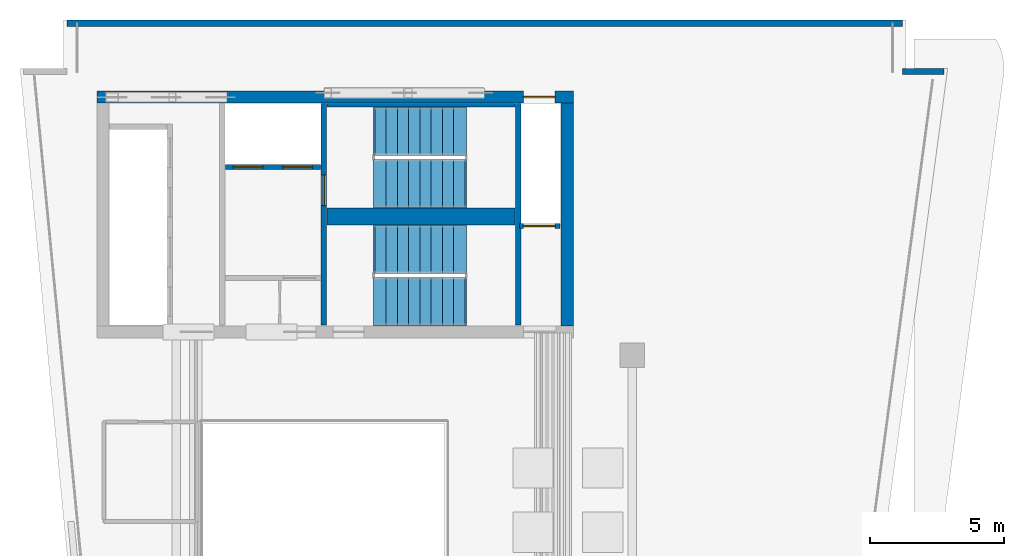
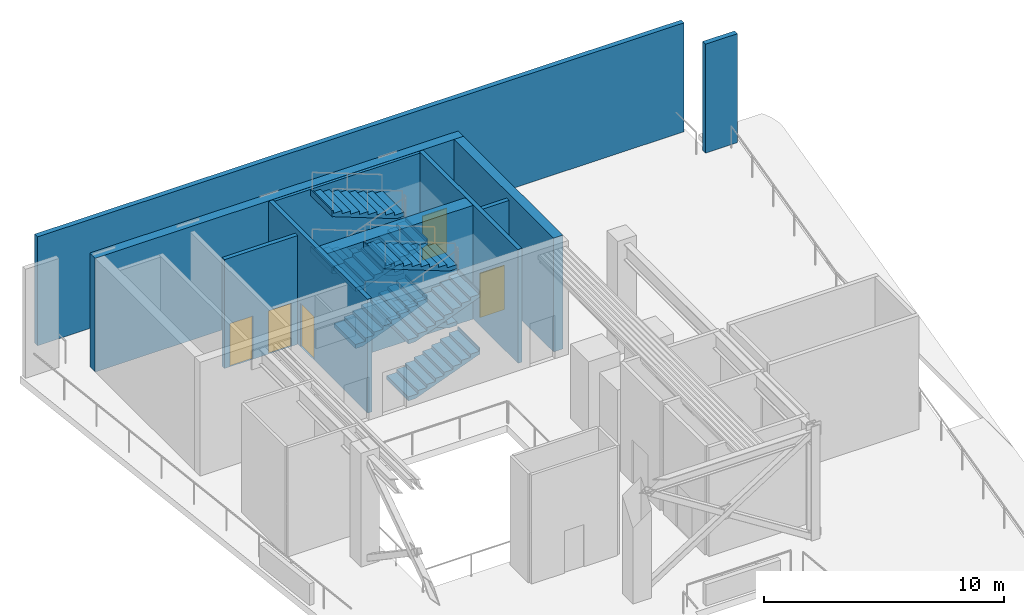
# One storey, part 3 of 8: 10 walls, 8 stair flights, 5 doors, 5 openings, 2 elements without a shape of their own.
"""IFC4 building model written with IfcOpenShell, lengths in metres."""

from ifc_helpers import new_model, si_unit, direction, frame, frame_2d, origin, place, context, subcontext, project, spatial, polyline, rectangle, outline, extrude, material, layer, layer_set, type_object, element, fill, aggregate, save


model = new_model("IFC4")

# Units and contexts
model_context = context("Model", 3, precision=1e-05, world=origin(), true_north=direction((0.0, 1.0)))
body_context = subcontext(model_context, "Body", "Model", "MODEL_VIEW")
ifc_project = project(units=[si_unit("LENGTHUNIT", "METRE"), si_unit("AREAUNIT", "SQUARE_METRE"), si_unit("VOLUMEUNIT", "CUBIC_METRE"), si_unit("PLANEANGLEUNIT", "RADIAN"), si_unit("MASSUNIT", "GRAM", prefix="KILO")], contexts=[model_context])

# Site, building, storey
site_placement = place(None, origin())
site = spatial("IfcSite", under=ifc_project, at=site_placement, CompositionType="ELEMENT")
building_placement = place(site_placement, origin())
building = spatial("IfcBuilding", under=site, at=building_placement, Name="Caeloran Harvest Quay", CompositionType="ELEMENT")
storey_placement = place(building_placement, frame((0.0, 0.0, 250.89990234375)))
storey = spatial("IfcBuildingStorey", under=building, at=storey_placement, Name="L60", CompositionType="ELEMENT", Elevation=250.89990234375)

# Walls
ifc_material_1 = material(Name="Precast concrete C50/60", Category="concrete")
ifc_layer_1 = layer(ifc_material_1, 0.239990234375, Name="Precast concrete C50/60")
ifc_layer_set_1 = layer_set([ifc_layer_1], Name="Precast concrete C50/60")
wall_type_1 = type_object("IfcWallType", Name="ENV-WALL-EW-240", PredefinedType="STANDARD", material=ifc_layer_set_1)
wall_1_placement = place(storey_placement, frame((4.419921875, 43.3798828125, 0.0), z_axis=(0.0, 0.0, 1.0), x_axis=(1.0, 0.0, 0.0)))
element("IfcWall", 1, at=wall_1_placement, inside=storey, type_object=wall_type_1, Name="L60 Exterior Precast Concrete Facade Wall 6", PredefinedType="STANDARD", context=body_context, shape_type="SweptSolid", body=[
    extrude(rectangle(XDim=31.16015625, YDim=0.239990234375, at=frame_2d((15.580078125, 0.0))), origin(), (0.0, 0.0, 1.0), 5.550048828125),
])
wall_2_placement = place(storey_placement, frame((35.580078125, 41.580078125, 0.0), z_axis=(0.0, 0.0, 1.0), x_axis=(1.0, 0.0, 0.0)))
element("IfcWall", 2, at=wall_2_placement, inside=storey, type_object=wall_type_1, Name="L60 Exterior Precast Concrete Facade Wall 8", PredefinedType="STANDARD", context=body_context, shape_type="SweptSolid", body=[
    extrude(rectangle(XDim=1.542236328125, YDim=0.239990234375, at=frame_2d((0.77099609375, 0.0))), origin(), (0.0, 0.0, 1.0), 5.550048828125),
])

# Wall, openings, doors
ifc_material_2 = material(Name="Concrete C50/60", Category="concrete")
ifc_layer_2 = layer(ifc_material_2, 0.199951171875, Name="Concrete C50/60")
ifc_layer_set_2 = layer_set([ifc_layer_2], Name="Concrete C50/60")
wall_type_2 = type_object("IfcWallType", Name="INT-WALL-SW-200", PredefinedType="PARTITIONING", material=ifc_layer_set_2)
wall_3_placement = place(storey_placement, frame((10.340087890625, 38.02001953125, 0.0), z_axis=(0.0, 0.0, 1.0), x_axis=(1.0, 0.0, 0.0)))
wall_3 = element("IfcWall", 3, at=wall_3_placement, inside=storey, type_object=wall_type_2, Name="L60 Firefighting Lift Shaft Wall", PredefinedType="PARTITIONING", context=body_context, shape_type="SweptSolid", body=[
    extrude(rectangle(XDim=3.539794921875, YDim=0.199951171875, at=frame_2d((1.77001953125, 0.0))), origin(), (0.0, 0.0, 1.0), 5.550048828125),
])
opening_1_placement = place(wall_3_placement, frame((0.284912109375, 0.0, 0.0)))
opening_1 = element("IfcOpeningElement", 4, at=opening_1_placement, cuts=wall_3, Name="Opening LD-01", PredefinedType="OPENING", context=body_context, shape_type="SweptSolid", body=[
    extrude(rectangle(XDim=1.10009765625, YDim=2.199951171875, at=frame_2d((0.550048828125, 1.10009765625))), frame((0.0, 0.10986328125, 0.0), z_axis=(0.0, -1.0, 0.0), x_axis=(1.0, 0.0, 0.0)), (0.0, 0.0, 1.0), 0.219970703125),
])
opening_2_placement = place(wall_3_placement, frame((2.135009765625, 0.0, 0.0)))
opening_2 = element("IfcOpeningElement", 5, at=opening_2_placement, cuts=wall_3, Name="Opening LD-01", PredefinedType="OPENING", context=body_context, shape_type="SweptSolid", body=[
    extrude(rectangle(XDim=1.10009765625, YDim=2.199951171875, at=frame_2d((0.550048828125, 1.10009765625))), frame((0.0, 0.10986328125, 0.0), z_axis=(0.0, -1.0, 0.0), x_axis=(1.0, 0.0, 0.0)), (0.0, 0.0, 1.0), 0.219970703125),
])
ifc_material_3 = material(Name="Stainless Steel Grade 316", Category="steel")
door_type_1 = type_object("IfcDoorType", Name="INTDOOR-LD-01", OperationType="NOTDEFINED", PredefinedType="DOOR", material=ifc_material_3)
door_1_placement = place(opening_1_placement, origin())
door_1 = element("IfcDoor", 6, at=door_1_placement, inside=storey, type_object=door_type_1, Name="Lift FF-1 Sliding Landing Door (L60)", OperationType="DOUBLE_DOOR_SLIDING", OverallHeight=2.199951171875, OverallWidth=1.10009765625, PredefinedType="DOOR", context=body_context, shape_type="SweptSolid", body=[
    extrude(rectangle(XDim=1.10009765625, YDim=2.199951171875, at=frame_2d((0.550048828125, 1.10009765625))), frame((0.0, 0.02490234375, 0.0), z_axis=(0.0, -1.0, 0.0), x_axis=(1.0, 0.0, 0.0)), (0.0, 0.0, 1.0), 0.050048828125),
])
fill(opening_1, door_1)
door_2_placement = place(opening_2_placement, origin())
door_2 = element("IfcDoor", 7, at=door_2_placement, inside=storey, type_object=door_type_1, Name="Lift FF-2 Sliding Landing Door (L60)", OperationType="DOUBLE_DOOR_SLIDING", OverallHeight=2.199951171875, OverallWidth=1.10009765625, PredefinedType="DOOR", context=body_context, shape_type="SweptSolid", body=[
    extrude(rectangle(XDim=1.10009765625, YDim=2.199951171875, at=frame_2d((0.550048828125, 1.10009765625))), frame((0.0, 0.02490234375, 0.0), z_axis=(0.0, -1.0, 0.0), x_axis=(1.0, 0.0, 0.0)), (0.0, 0.0, 1.0), 0.050048828125),
])
fill(opening_2, door_2)

# Wall, opening, door
wall_4_placement = place(storey_placement, frame((21.300048828125, 35.820068359375, 0.0), z_axis=(0.0, 0.0, 1.0), x_axis=(1.0, 0.0, 0.0)))
wall_4 = element("IfcWall", 8, at=wall_4_placement, inside=storey, type_object=wall_type_2, Name="L60 Service Lift SV-2 Shaft Wall", PredefinedType="PARTITIONING", context=body_context, shape_type="SweptSolid", body=[
    extrude(rectangle(XDim=1.5, YDim=0.199951171875, at=frame_2d((0.75, 0.0))), origin(), (0.0, 0.0, 1.0), 5.550048828125),
])
opening_3_placement = place(wall_4_placement, frame((0.14501953125, 0.0, 0.0)))
opening_3 = element("IfcOpeningElement", 9, at=opening_3_placement, cuts=wall_4, Name="Opening LD-02", PredefinedType="OPENING", context=body_context, shape_type="SweptSolid", body=[
    extrude(rectangle(XDim=1.179931640625, YDim=2.25, at=frame_2d((0.58984375, 1.125))), frame((0.0, 0.10986328125, 0.0), z_axis=(0.0, -1.0, 0.0), x_axis=(1.0, 0.0, 0.0)), (0.0, 0.0, 1.0), 0.219970703125),
])
door_type_2 = type_object("IfcDoorType", Name="INTDOOR-LD-02", OperationType="NOTDEFINED", PredefinedType="DOOR", material=ifc_material_3)
door_3_placement = place(opening_3_placement, origin())
door_3 = element("IfcDoor", 10, at=door_3_placement, inside=storey, type_object=door_type_2, Name="Lift SV-2 Sliding Landing Door (L60)", OperationType="DOUBLE_DOOR_SLIDING", OverallHeight=2.25, OverallWidth=1.179931640625, PredefinedType="DOOR", context=body_context, shape_type="SweptSolid", body=[
    extrude(rectangle(XDim=1.179931640625, YDim=2.25, at=frame_2d((0.58984375, 1.125))), frame((0.0, 0.02490234375, 0.0), z_axis=(0.0, -1.0, 0.0), x_axis=(1.0, 0.0, 0.0)), (0.0, 0.0, 1.0), 0.050048828125),
])
fill(opening_3, door_3)

ifc_material_4 = material(Name="Concrete C60/75", Category="concrete")
ifc_layer_3 = layer(ifc_material_4, 0.449951171875, Name="Concrete C60/75")
ifc_layer_set_3 = layer_set([ifc_layer_3], Name="Concrete C60/75")
wall_type_3 = type_object("IfcWallType", Name="STR-WALL-CW-450", PredefinedType="SHEAR", material=ifc_layer_set_3)
wall_5_placement = place(storey_placement, frame((5.550048828125, 40.625, 0.0), z_axis=(0.0, 0.0, 1.0), x_axis=(1.0, 0.0, 0.0)))
wall_5 = element("IfcWall", 11, at=wall_5_placement, inside=storey, type_object=wall_type_3, Name="L60 Rear Core Shear Wall N", PredefinedType="SHEAR", context=body_context, shape_type="SweptSolid", body=[
    extrude(rectangle(XDim=17.75, YDim=0.449951171875, at=frame_2d((8.875, 0.0))), origin(), (0.0, 0.0, 1.0), 5.800048828125),
])
opening_4_placement = place(wall_5_placement, frame((15.89501953125, 0.0, 0.0)))
opening_4 = element("IfcOpeningElement", 12, at=opening_4_placement, cuts=wall_5, Name="Opening LD-02", PredefinedType="OPENING", context=body_context, shape_type="SweptSolid", body=[
    extrude(rectangle(XDim=1.179931640625, YDim=2.25, at=frame_2d((0.58984375, 1.125))), frame((0.0, 0.23486328125, 0.0), z_axis=(0.0, -1.0, 0.0), x_axis=(1.0, 0.0, 0.0)), (0.0, 0.0, 1.0), 0.469970703125),
])
door_4_placement = place(opening_4_placement, origin())
door_4 = element("IfcDoor", 13, at=door_4_placement, inside=storey, type_object=door_type_2, Name="Lift SV-1 Sliding Landing Door (L60)", OperationType="DOUBLE_DOOR_SLIDING", OverallHeight=2.25, OverallWidth=1.179931640625, PredefinedType="DOOR", context=body_context, shape_type="SweptSolid", body=[
    extrude(rectangle(XDim=1.179931640625, YDim=2.25, at=frame_2d((0.58984375, 1.125))), frame((0.0, 0.02490234375, 0.0), z_axis=(0.0, -1.0, 0.0), x_axis=(1.0, 0.0, 0.0)), (0.0, 0.0, 1.0), 0.050048828125),
])
fill(opening_4, door_4)

# Walls
wall_6_placement = place(storey_placement, frame((23.074951171875, 32.10009765625, 0.0), z_axis=(0.0, 0.0, 1.0), x_axis=(0.0, 1.0, 0.0)))
element("IfcWall", 14, at=wall_6_placement, inside=storey, type_object=wall_type_3, Name="L60 Rear Core Shear Wall E", PredefinedType="SHEAR", context=body_context, shape_type="SweptSolid", body=[
    extrude(rectangle(XDim=8.2998046875, YDim=0.449951171875, at=frame_2d((4.14990234375, 0.0))), origin(), (0.0, 0.0, 1.0), 5.800048828125),
])
ifc_layer_4 = layer(ifc_material_4, 0.64990234375, Name="Concrete C60/75")
ifc_layer_set_4 = layer_set([ifc_layer_4], Name="Concrete C60/75")
wall_type_4 = type_object("IfcWallType", Name="STR-WALL-CW-650", PredefinedType="SHEAR", material=ifc_layer_set_4)
wall_7_placement = place(storey_placement, frame((14.1201171875, 36.175048828125, 0.0), z_axis=(0.0, 0.0, 1.0), x_axis=(1.0, 0.0, 0.0)))
element("IfcWall", 15, at=wall_7_placement, inside=storey, type_object=wall_type_4, Name="L60 Core Stairs Dividing Shear Wall", PredefinedType="SHEAR", context=body_context, shape_type="SweptSolid", body=[
    extrude(rectangle(XDim=7.009765625, YDim=0.64990234375, at=frame_2d((3.5048828125, 0.0))), origin(), (0.0, 0.0, 1.0), 5.800048828125),
])
ifc_layer_5 = layer(ifc_material_4, 0.139892578125, Name="Concrete C60/75")
ifc_layer_set_5 = layer_set([ifc_layer_5], Name="Concrete C60/75")
wall_type_5 = type_object("IfcWallType", Name="STR-WALL-SW-140", PredefinedType="SHEAR", material=ifc_layer_set_5)
wall_8_placement = place(storey_placement, frame((14.1201171875, 40.320068359375, 0.0), z_axis=(0.0, 0.0, 1.0), x_axis=(1.0, 0.0, 0.0)))
element("IfcWall", 16, at=wall_8_placement, inside=storey, type_object=wall_type_5, Name="L60 Core Stair ST-C1 North Bearing Shear Wall", PredefinedType="SHEAR", context=body_context, shape_type="SweptSolid", body=[
    extrude(rectangle(XDim=7.009765625, YDim=0.139892578125, at=frame_2d((3.5048828125, 0.0))), origin(), (0.0, 0.0, 1.0), 5.800048828125),
])

# Wall, opening, door
ifc_layer_6 = layer(ifc_material_4, 0.199951171875, Name="Concrete C60/75")
ifc_layer_set_6 = layer_set([ifc_layer_6], Name="Concrete C60/75")
wall_type_6 = type_object("IfcWallType", Name="STR-WALL-SW-200", PredefinedType="SHEAR", material=ifc_layer_set_6)
wall_9_placement = place(storey_placement, frame((14.0, 32.1201171875, 0.0), z_axis=(0.0, 0.0, 1.0), x_axis=(0.0, 1.0, 0.0)))
wall_9 = element("IfcWall", 17, at=wall_9_placement, inside=storey, type_object=wall_type_6, Name="L60 Core Stair Shaft West Shear Wall", PredefinedType="SHEAR", context=body_context, shape_type="SweptSolid", body=[
    extrude(rectangle(XDim=8.259765625, YDim=0.199951171875, at=frame_2d((4.1298828125, 0.0))), origin(), (0.0, 0.0, 1.0), 5.800048828125),
])
opening_5_placement = place(wall_9_placement, frame((4.4599609375, 0.0, 0.0)))
opening_5 = element("IfcOpeningElement", 18, at=opening_5_placement, cuts=wall_9, Name="Opening SD-01", PredefinedType="OPENING", context=body_context, shape_type="SweptSolid", body=[
    extrude(rectangle(XDim=1.14990234375, YDim=2.199951171875, at=frame_2d((0.574951171875, 1.10009765625))), frame((0.0, 0.10986328125, 0.0), z_axis=(0.0, -1.0, 0.0), x_axis=(1.0, 0.0, 0.0)), (0.0, 0.0, 1.0), 0.219970703125),
])
ifc_material_5 = material(Name="Steel", Category="steel")
door_type_3 = type_object("IfcDoorType", Name="INTDOOR-SD-01", OperationType="NOTDEFINED", PredefinedType="DOOR", material=ifc_material_5)
door_5_placement = place(opening_5_placement, origin())
door_5 = element("IfcDoor", 19, at=door_5_placement, inside=storey, type_object=door_type_3, Name="L60 Protected Stair ST-C1 Exit Door", OperationType="SINGLE_SWING_LEFT", OverallHeight=2.199951171875, OverallWidth=1.14990234375, PredefinedType="DOOR", context=body_context, shape_type="SweptSolid", body=[
    extrude(rectangle(XDim=1.14990234375, YDim=2.199951171875, at=frame_2d((0.574951171875, 1.10009765625))), frame((0.0, 0.02490234375, 0.0), z_axis=(0.0, -1.0, 0.0), x_axis=(1.0, 0.0, 0.0)), (0.0, 0.0, 1.0), 0.050048828125),
])
fill(opening_5, door_5)

# Wall
wall_10_placement = place(storey_placement, frame((21.25, 32.1201171875, 0.0), z_axis=(0.0, 0.0, 1.0), x_axis=(0.0, 1.0, 0.0)))
element("IfcWall", 20, at=wall_10_placement, inside=storey, type_object=wall_type_6, Name="L60 Core Stair Shaft East Shear Wall", PredefinedType="SHEAR", context=body_context, shape_type="SweptSolid", body=[
    extrude(rectangle(XDim=8.259765625, YDim=0.199951171875, at=frame_2d((4.1298828125, 0.0))), origin(), (0.0, 0.0, 1.0), 5.800048828125),
])

# Stair, stair flights
stair_type = type_object("IfcStairType", Name="STAIR-STC-180", PredefinedType="HALF_TURN_STAIR", material=ifc_material_2)
stair_1_placement = place(storey_placement, origin())
stair_1 = element("IfcStair", 21, at=stair_1_placement, inside=storey, type_object=stair_type, Name="L60 Core Pressurized Exit Stair ST-C1", PredefinedType="HALF_TURN_STAIR")
stair_flight_type = type_object("IfcStairFlightType", Name="FLIGHT-STC-180", PredefinedType="STRAIGHT", material=ifc_material_2)
stair_flight_1_placement = place(storey_placement, frame((15.89990234375, 37.39990234375, 0.0), z_axis=(0.0, 0.0, 1.0), x_axis=(1.0, 0.0, 0.0)))
stair_flight_1 = element("IfcStairFlight", 22, at=stair_flight_1_placement, type_object=stair_flight_type, Name="ST-C1 flight 1", NumberOfRisers=9, NumberOfTreads=8, PredefinedType="STRAIGHT", RiserHeight=0.161111111, TreadLength=0.42, context=body_context, shape_type="SweptSolid", body=[
    extrude(outline(polyline([(-0.054931640625, -0.044921875), (-0.054931640625, -0.0322265625), (-0.054931640625, -0.019287109375), (-0.054931640625, -0.00634765625), (-0.054931640625, 0.006591796875), (-0.054931640625, 0.01953125), (-0.054931640625, 0.0322265625), (-0.054931640625, 0.045166015625), (-0.054931640625, 0.05810546875), (-0.054931640625, 0.071044921875), (-0.054931640625, 0.083740234375), (-0.054931640625, 0.0966796875), (-0.054931640625, 0.109619140625), (-0.054931640625, 0.12255859375), (-0.054931640625, 0.13525390625), (-0.054931640625, 0.148193359375), (-0.054931640625, 0.1611328125), (0.419921875, 0.1611328125), (0.419921875, 0.322265625), (0.840087890625, 0.322265625), (0.840087890625, 0.4833984375), (1.260009765625, 0.4833984375), (1.260009765625, 0.64453125), (1.679931640625, 0.64453125), (1.679931640625, 0.8056640625), (2.10009765625, 0.8056640625), (2.10009765625, 0.966552734375), (2.52001953125, 0.966552734375), (2.52001953125, 1.127685546875), (2.93994140625, 1.127685546875), (2.93994140625, 1.288818359375), (3.360107421875, 1.288818359375), (3.360107421875, 1.449951171875), (3.4150390625, 1.449951171875), (3.4150390625, 1.429931640625), (3.4150390625, 1.409912109375), (3.4150390625, 1.3896484375), (3.4150390625, 1.36962890625), (3.4150390625, 1.349365234375), (3.4150390625, 1.329345703125), (3.4150390625, 1.309326171875), (3.4150390625, 1.2890625), (3.4150390625, 1.26904296875), (3.4150390625, 1.2490234375), (3.4150390625, 1.228759765625), (3.4150390625, 1.208740234375), (3.4150390625, 1.188720703125), (3.4150390625, 1.16845703125), (3.4150390625, 1.1484375), (3.4150390625, 1.12841796875), (3.360107421875, 1.12841796875), (0.30126953125, -0.044921875), (-0.054931640625, -0.044921875)])), frame((0.0, 0.89990234375, 0.0), z_axis=(0.0, -1.0, 0.0), x_axis=(1.0, 0.0, 0.0)), (0.0, 0.0, 1.0), 1.800048828125),
])
stair_flight_2_placement = place(storey_placement, frame((19.260009765625, 39.35009765625, 1.4501953125), z_axis=(0.0, 0.0, 1.0), x_axis=(-1.0, 0.0, 0.0)))
stair_flight_2 = element("IfcStairFlight", 23, at=stair_flight_2_placement, type_object=stair_flight_type, Name="ST-C1 flight 2", NumberOfRisers=9, NumberOfTreads=8, PredefinedType="STRAIGHT", RiserHeight=0.161111111, TreadLength=0.42, context=body_context, shape_type="SweptSolid", body=[
    extrude(outline(polyline([(-0.054931640625, -0.044921875), (-0.054931640625, -0.0322265625), (-0.054931640625, -0.019287109375), (-0.054931640625, -0.00634765625), (-0.054931640625, 0.006591796875), (-0.054931640625, 0.01953125), (-0.054931640625, 0.0322265625), (-0.054931640625, 0.045166015625), (-0.054931640625, 0.05810546875), (-0.054931640625, 0.071044921875), (-0.054931640625, 0.083740234375), (-0.054931640625, 0.0966796875), (-0.054931640625, 0.109619140625), (-0.054931640625, 0.12255859375), (-0.054931640625, 0.13525390625), (-0.054931640625, 0.148193359375), (-0.054931640625, 0.1611328125), (0.419921875, 0.1611328125), (0.419921875, 0.322265625), (0.840087890625, 0.322265625), (0.840087890625, 0.4833984375), (1.260009765625, 0.4833984375), (1.260009765625, 0.64453125), (1.679931640625, 0.64453125), (1.679931640625, 0.8056640625), (2.10009765625, 0.8056640625), (2.10009765625, 0.966552734375), (2.52001953125, 0.966552734375), (2.52001953125, 1.127685546875), (2.93994140625, 1.127685546875), (2.93994140625, 1.288818359375), (3.360107421875, 1.288818359375), (3.360107421875, 1.449951171875), (3.4150390625, 1.449951171875), (3.4150390625, 1.429931640625), (3.4150390625, 1.409912109375), (3.4150390625, 1.3896484375), (3.4150390625, 1.36962890625), (3.4150390625, 1.349365234375), (3.4150390625, 1.329345703125), (3.4150390625, 1.309326171875), (3.4150390625, 1.2890625), (3.4150390625, 1.26904296875), (3.4150390625, 1.2490234375), (3.4150390625, 1.228759765625), (3.4150390625, 1.208740234375), (3.4150390625, 1.188720703125), (3.4150390625, 1.16845703125), (3.4150390625, 1.1484375), (3.4150390625, 1.12841796875), (3.360107421875, 1.12841796875), (0.30126953125, -0.044921875), (-0.054931640625, -0.044921875)])), frame((0.0, 0.89990234375, 0.0), z_axis=(0.0, -1.0, 0.0), x_axis=(1.0, 0.0, 0.0)), (0.0, 0.0, 1.0), 1.800048828125),
])
stair_flight_3_placement = place(storey_placement, frame((15.89990234375, 37.39990234375, 2.900146484375), z_axis=(0.0, 0.0, 1.0), x_axis=(1.0, 0.0, 0.0)))
stair_flight_3 = element("IfcStairFlight", 24, at=stair_flight_3_placement, type_object=stair_flight_type, Name="ST-C1 flight 3", NumberOfRisers=9, NumberOfTreads=8, PredefinedType="STRAIGHT", RiserHeight=0.161111111, TreadLength=0.42, context=body_context, shape_type="SweptSolid", body=[
    extrude(outline(polyline([(-0.054931640625, -0.044921875), (-0.054931640625, -0.0322265625), (-0.054931640625, -0.019287109375), (-0.054931640625, -0.00634765625), (-0.054931640625, 0.006591796875), (-0.054931640625, 0.01953125), (-0.054931640625, 0.0322265625), (-0.054931640625, 0.045166015625), (-0.054931640625, 0.05810546875), (-0.054931640625, 0.071044921875), (-0.054931640625, 0.083740234375), (-0.054931640625, 0.0966796875), (-0.054931640625, 0.109619140625), (-0.054931640625, 0.12255859375), (-0.054931640625, 0.13525390625), (-0.054931640625, 0.148193359375), (-0.054931640625, 0.1611328125), (0.419921875, 0.1611328125), (0.419921875, 0.322265625), (0.840087890625, 0.322265625), (0.840087890625, 0.4833984375), (1.260009765625, 0.4833984375), (1.260009765625, 0.64453125), (1.679931640625, 0.64453125), (1.679931640625, 0.8056640625), (2.10009765625, 0.8056640625), (2.10009765625, 0.966552734375), (2.52001953125, 0.966552734375), (2.52001953125, 1.127685546875), (2.93994140625, 1.127685546875), (2.93994140625, 1.288818359375), (3.360107421875, 1.288818359375), (3.360107421875, 1.449951171875), (3.4150390625, 1.449951171875), (3.4150390625, 1.429931640625), (3.4150390625, 1.409912109375), (3.4150390625, 1.3896484375), (3.4150390625, 1.36962890625), (3.4150390625, 1.349365234375), (3.4150390625, 1.329345703125), (3.4150390625, 1.309326171875), (3.4150390625, 1.2890625), (3.4150390625, 1.26904296875), (3.4150390625, 1.2490234375), (3.4150390625, 1.228759765625), (3.4150390625, 1.208740234375), (3.4150390625, 1.188720703125), (3.4150390625, 1.16845703125), (3.4150390625, 1.1484375), (3.4150390625, 1.12841796875), (3.360107421875, 1.12841796875), (0.30126953125, -0.044921875), (-0.054931640625, -0.044921875)])), frame((0.0, 0.89990234375, 0.0), z_axis=(0.0, -1.0, 0.0), x_axis=(1.0, 0.0, 0.0)), (0.0, 0.0, 1.0), 1.800048828125),
])
stair_flight_4_placement = place(storey_placement, frame((19.260009765625, 39.35009765625, 4.35009765625), z_axis=(0.0, 0.0, 1.0), x_axis=(-1.0, 0.0, 0.0)))
stair_flight_4 = element("IfcStairFlight", 25, at=stair_flight_4_placement, type_object=stair_flight_type, Name="ST-C1 flight 4", NumberOfRisers=9, NumberOfTreads=8, PredefinedType="STRAIGHT", RiserHeight=0.161111111, TreadLength=0.42, context=body_context, shape_type="SweptSolid", body=[
    extrude(outline(polyline([(-0.054931640625, -0.044921875), (-0.054931640625, -0.0322265625), (-0.054931640625, -0.019287109375), (-0.054931640625, -0.00634765625), (-0.054931640625, 0.006591796875), (-0.054931640625, 0.01953125), (-0.054931640625, 0.0322265625), (-0.054931640625, 0.045166015625), (-0.054931640625, 0.05810546875), (-0.054931640625, 0.071044921875), (-0.054931640625, 0.083740234375), (-0.054931640625, 0.0966796875), (-0.054931640625, 0.109619140625), (-0.054931640625, 0.12255859375), (-0.054931640625, 0.13525390625), (-0.054931640625, 0.148193359375), (-0.054931640625, 0.1611328125), (0.419921875, 0.1611328125), (0.419921875, 0.322265625), (0.840087890625, 0.322265625), (0.840087890625, 0.4833984375), (1.260009765625, 0.4833984375), (1.260009765625, 0.64453125), (1.679931640625, 0.64453125), (1.679931640625, 0.8056640625), (2.10009765625, 0.8056640625), (2.10009765625, 0.966552734375), (2.52001953125, 0.966552734375), (2.52001953125, 1.127685546875), (2.93994140625, 1.127685546875), (2.93994140625, 1.288818359375), (3.360107421875, 1.288818359375), (3.360107421875, 1.449951171875), (3.4150390625, 1.449951171875), (3.4150390625, 1.429931640625), (3.4150390625, 1.409912109375), (3.4150390625, 1.3896484375), (3.4150390625, 1.36962890625), (3.4150390625, 1.349365234375), (3.4150390625, 1.329345703125), (3.4150390625, 1.309326171875), (3.4150390625, 1.2890625), (3.4150390625, 1.26904296875), (3.4150390625, 1.2490234375), (3.4150390625, 1.228759765625), (3.4150390625, 1.208740234375), (3.4150390625, 1.188720703125), (3.4150390625, 1.16845703125), (3.4150390625, 1.1484375), (3.4150390625, 1.12841796875), (3.360107421875, 1.12841796875), (0.30126953125, -0.044921875), (-0.054931640625, -0.044921875)])), frame((0.0, 0.89990234375, 0.0), z_axis=(0.0, -1.0, 0.0), x_axis=(1.0, 0.0, 0.0)), (0.0, 0.0, 1.0), 1.800048828125),
])
aggregate(stair_1, [stair_flight_1, stair_flight_2, stair_flight_3, stair_flight_4])

stair_2_placement = place(storey_placement, origin())
stair_2 = element("IfcStair", 26, at=stair_2_placement, inside=storey, type_object=stair_type, Name="L60 Core Pressurized Exit Stair ST-C2", PredefinedType="HALF_TURN_STAIR")
stair_flight_5_placement = place(storey_placement, frame((15.89990234375, 33.0, 0.0), z_axis=(0.0, 0.0, 1.0), x_axis=(1.0, 0.0, 0.0)))
stair_flight_5 = element("IfcStairFlight", 27, at=stair_flight_5_placement, type_object=stair_flight_type, Name="ST-C2 flight 1", NumberOfRisers=9, NumberOfTreads=8, PredefinedType="STRAIGHT", RiserHeight=0.161111111, TreadLength=0.42, context=body_context, shape_type="SweptSolid", body=[
    extrude(outline(polyline([(-0.054931640625, -0.044921875), (-0.054931640625, -0.0322265625), (-0.054931640625, -0.019287109375), (-0.054931640625, -0.00634765625), (-0.054931640625, 0.006591796875), (-0.054931640625, 0.01953125), (-0.054931640625, 0.0322265625), (-0.054931640625, 0.045166015625), (-0.054931640625, 0.05810546875), (-0.054931640625, 0.071044921875), (-0.054931640625, 0.083740234375), (-0.054931640625, 0.0966796875), (-0.054931640625, 0.109619140625), (-0.054931640625, 0.12255859375), (-0.054931640625, 0.13525390625), (-0.054931640625, 0.148193359375), (-0.054931640625, 0.1611328125), (0.419921875, 0.1611328125), (0.419921875, 0.322265625), (0.840087890625, 0.322265625), (0.840087890625, 0.4833984375), (1.260009765625, 0.4833984375), (1.260009765625, 0.64453125), (1.679931640625, 0.64453125), (1.679931640625, 0.8056640625), (2.10009765625, 0.8056640625), (2.10009765625, 0.966552734375), (2.52001953125, 0.966552734375), (2.52001953125, 1.127685546875), (2.93994140625, 1.127685546875), (2.93994140625, 1.288818359375), (3.360107421875, 1.288818359375), (3.360107421875, 1.449951171875), (3.4150390625, 1.449951171875), (3.4150390625, 1.429931640625), (3.4150390625, 1.409912109375), (3.4150390625, 1.3896484375), (3.4150390625, 1.36962890625), (3.4150390625, 1.349365234375), (3.4150390625, 1.329345703125), (3.4150390625, 1.309326171875), (3.4150390625, 1.2890625), (3.4150390625, 1.26904296875), (3.4150390625, 1.2490234375), (3.4150390625, 1.228759765625), (3.4150390625, 1.208740234375), (3.4150390625, 1.188720703125), (3.4150390625, 1.16845703125), (3.4150390625, 1.1484375), (3.4150390625, 1.12841796875), (3.360107421875, 1.12841796875), (0.30126953125, -0.044921875), (-0.054931640625, -0.044921875)])), frame((0.0, 0.89990234375, 0.0), z_axis=(0.0, -1.0, 0.0), x_axis=(1.0, 0.0, 0.0)), (0.0, 0.0, 1.0), 1.800048828125),
])
stair_flight_6_placement = place(storey_placement, frame((19.260009765625, 34.949951171875, 1.4501953125), z_axis=(0.0, 0.0, 1.0), x_axis=(-1.0, 0.0, 0.0)))
stair_flight_6 = element("IfcStairFlight", 28, at=stair_flight_6_placement, type_object=stair_flight_type, Name="ST-C2 flight 2", NumberOfRisers=9, NumberOfTreads=8, PredefinedType="STRAIGHT", RiserHeight=0.161111111, TreadLength=0.42, context=body_context, shape_type="SweptSolid", body=[
    extrude(outline(polyline([(-0.054931640625, -0.044921875), (-0.054931640625, -0.0322265625), (-0.054931640625, -0.019287109375), (-0.054931640625, -0.00634765625), (-0.054931640625, 0.006591796875), (-0.054931640625, 0.01953125), (-0.054931640625, 0.0322265625), (-0.054931640625, 0.045166015625), (-0.054931640625, 0.05810546875), (-0.054931640625, 0.071044921875), (-0.054931640625, 0.083740234375), (-0.054931640625, 0.0966796875), (-0.054931640625, 0.109619140625), (-0.054931640625, 0.12255859375), (-0.054931640625, 0.13525390625), (-0.054931640625, 0.148193359375), (-0.054931640625, 0.1611328125), (0.419921875, 0.1611328125), (0.419921875, 0.322265625), (0.840087890625, 0.322265625), (0.840087890625, 0.4833984375), (1.260009765625, 0.4833984375), (1.260009765625, 0.64453125), (1.679931640625, 0.64453125), (1.679931640625, 0.8056640625), (2.10009765625, 0.8056640625), (2.10009765625, 0.966552734375), (2.52001953125, 0.966552734375), (2.52001953125, 1.127685546875), (2.93994140625, 1.127685546875), (2.93994140625, 1.288818359375), (3.360107421875, 1.288818359375), (3.360107421875, 1.449951171875), (3.4150390625, 1.449951171875), (3.4150390625, 1.429931640625), (3.4150390625, 1.409912109375), (3.4150390625, 1.3896484375), (3.4150390625, 1.36962890625), (3.4150390625, 1.349365234375), (3.4150390625, 1.329345703125), (3.4150390625, 1.309326171875), (3.4150390625, 1.2890625), (3.4150390625, 1.26904296875), (3.4150390625, 1.2490234375), (3.4150390625, 1.228759765625), (3.4150390625, 1.208740234375), (3.4150390625, 1.188720703125), (3.4150390625, 1.16845703125), (3.4150390625, 1.1484375), (3.4150390625, 1.12841796875), (3.360107421875, 1.12841796875), (0.30126953125, -0.044921875), (-0.054931640625, -0.044921875)])), frame((0.0, 0.89990234375, 0.0), z_axis=(0.0, -1.0, 0.0), x_axis=(1.0, 0.0, 0.0)), (0.0, 0.0, 1.0), 1.800048828125),
])
stair_flight_7_placement = place(storey_placement, frame((15.89990234375, 33.0, 2.900146484375), z_axis=(0.0, 0.0, 1.0), x_axis=(1.0, 0.0, 0.0)))
stair_flight_7 = element("IfcStairFlight", 29, at=stair_flight_7_placement, type_object=stair_flight_type, Name="ST-C2 flight 3", NumberOfRisers=9, NumberOfTreads=8, PredefinedType="STRAIGHT", RiserHeight=0.161111111, TreadLength=0.42, context=body_context, shape_type="SweptSolid", body=[
    extrude(outline(polyline([(-0.054931640625, -0.044921875), (-0.054931640625, -0.0322265625), (-0.054931640625, -0.019287109375), (-0.054931640625, -0.00634765625), (-0.054931640625, 0.006591796875), (-0.054931640625, 0.01953125), (-0.054931640625, 0.0322265625), (-0.054931640625, 0.045166015625), (-0.054931640625, 0.05810546875), (-0.054931640625, 0.071044921875), (-0.054931640625, 0.083740234375), (-0.054931640625, 0.0966796875), (-0.054931640625, 0.109619140625), (-0.054931640625, 0.12255859375), (-0.054931640625, 0.13525390625), (-0.054931640625, 0.148193359375), (-0.054931640625, 0.1611328125), (0.419921875, 0.1611328125), (0.419921875, 0.322265625), (0.840087890625, 0.322265625), (0.840087890625, 0.4833984375), (1.260009765625, 0.4833984375), (1.260009765625, 0.64453125), (1.679931640625, 0.64453125), (1.679931640625, 0.8056640625), (2.10009765625, 0.8056640625), (2.10009765625, 0.966552734375), (2.52001953125, 0.966552734375), (2.52001953125, 1.127685546875), (2.93994140625, 1.127685546875), (2.93994140625, 1.288818359375), (3.360107421875, 1.288818359375), (3.360107421875, 1.449951171875), (3.4150390625, 1.449951171875), (3.4150390625, 1.429931640625), (3.4150390625, 1.409912109375), (3.4150390625, 1.3896484375), (3.4150390625, 1.36962890625), (3.4150390625, 1.349365234375), (3.4150390625, 1.329345703125), (3.4150390625, 1.309326171875), (3.4150390625, 1.2890625), (3.4150390625, 1.26904296875), (3.4150390625, 1.2490234375), (3.4150390625, 1.228759765625), (3.4150390625, 1.208740234375), (3.4150390625, 1.188720703125), (3.4150390625, 1.16845703125), (3.4150390625, 1.1484375), (3.4150390625, 1.12841796875), (3.360107421875, 1.12841796875), (0.30126953125, -0.044921875), (-0.054931640625, -0.044921875)])), frame((0.0, 0.89990234375, 0.0), z_axis=(0.0, -1.0, 0.0), x_axis=(1.0, 0.0, 0.0)), (0.0, 0.0, 1.0), 1.800048828125),
])
stair_flight_8_placement = place(storey_placement, frame((19.260009765625, 34.949951171875, 4.35009765625), z_axis=(0.0, 0.0, 1.0), x_axis=(-1.0, 0.0, 0.0)))
stair_flight_8 = element("IfcStairFlight", 30, at=stair_flight_8_placement, type_object=stair_flight_type, Name="ST-C2 flight 4", NumberOfRisers=9, NumberOfTreads=8, PredefinedType="STRAIGHT", RiserHeight=0.161111111, TreadLength=0.42, context=body_context, shape_type="SweptSolid", body=[
    extrude(outline(polyline([(-0.054931640625, -0.044921875), (-0.054931640625, -0.0322265625), (-0.054931640625, -0.019287109375), (-0.054931640625, -0.00634765625), (-0.054931640625, 0.006591796875), (-0.054931640625, 0.01953125), (-0.054931640625, 0.0322265625), (-0.054931640625, 0.045166015625), (-0.054931640625, 0.05810546875), (-0.054931640625, 0.071044921875), (-0.054931640625, 0.083740234375), (-0.054931640625, 0.0966796875), (-0.054931640625, 0.109619140625), (-0.054931640625, 0.12255859375), (-0.054931640625, 0.13525390625), (-0.054931640625, 0.148193359375), (-0.054931640625, 0.1611328125), (0.419921875, 0.1611328125), (0.419921875, 0.322265625), (0.840087890625, 0.322265625), (0.840087890625, 0.4833984375), (1.260009765625, 0.4833984375), (1.260009765625, 0.64453125), (1.679931640625, 0.64453125), (1.679931640625, 0.8056640625), (2.10009765625, 0.8056640625), (2.10009765625, 0.966552734375), (2.52001953125, 0.966552734375), (2.52001953125, 1.127685546875), (2.93994140625, 1.127685546875), (2.93994140625, 1.288818359375), (3.360107421875, 1.288818359375), (3.360107421875, 1.449951171875), (3.4150390625, 1.449951171875), (3.4150390625, 1.429931640625), (3.4150390625, 1.409912109375), (3.4150390625, 1.3896484375), (3.4150390625, 1.36962890625), (3.4150390625, 1.349365234375), (3.4150390625, 1.329345703125), (3.4150390625, 1.309326171875), (3.4150390625, 1.2890625), (3.4150390625, 1.26904296875), (3.4150390625, 1.2490234375), (3.4150390625, 1.228759765625), (3.4150390625, 1.208740234375), (3.4150390625, 1.188720703125), (3.4150390625, 1.16845703125), (3.4150390625, 1.1484375), (3.4150390625, 1.12841796875), (3.360107421875, 1.12841796875), (0.30126953125, -0.044921875), (-0.054931640625, -0.044921875)])), frame((0.0, 0.89990234375, 0.0), z_axis=(0.0, -1.0, 0.0), x_axis=(1.0, 0.0, 0.0)), (0.0, 0.0, 1.0), 1.800048828125),
])
aggregate(stair_2, [stair_flight_5, stair_flight_6, stair_flight_7, stair_flight_8])

save(model, "model.ifc")
